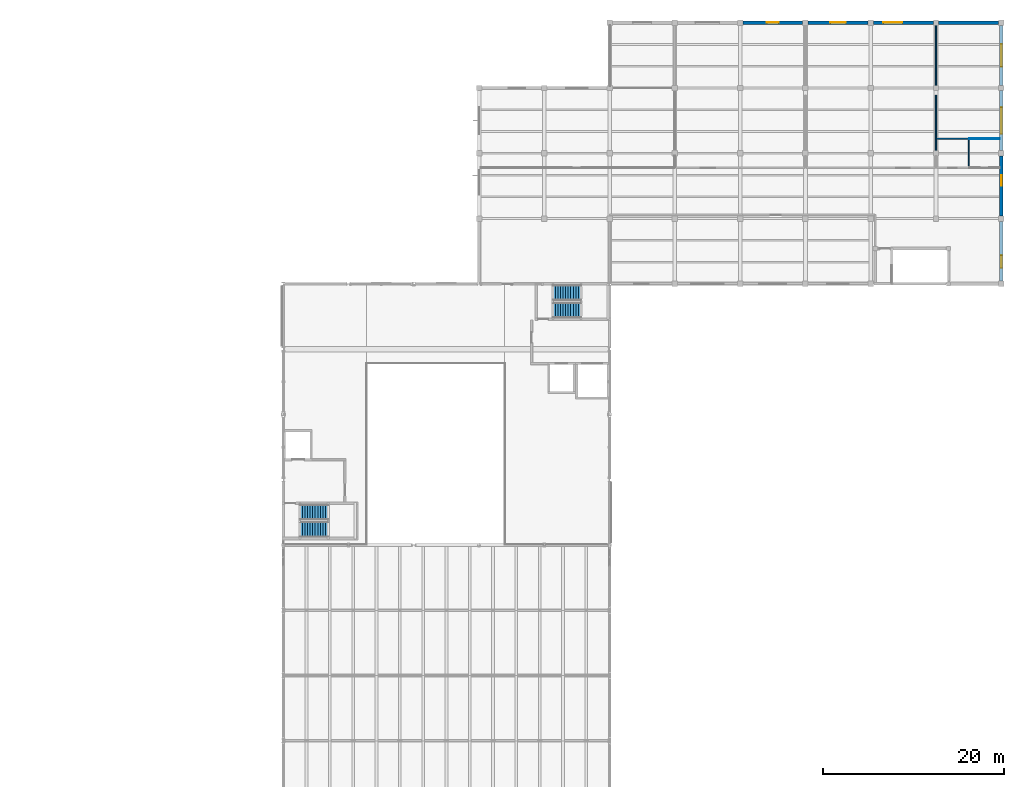
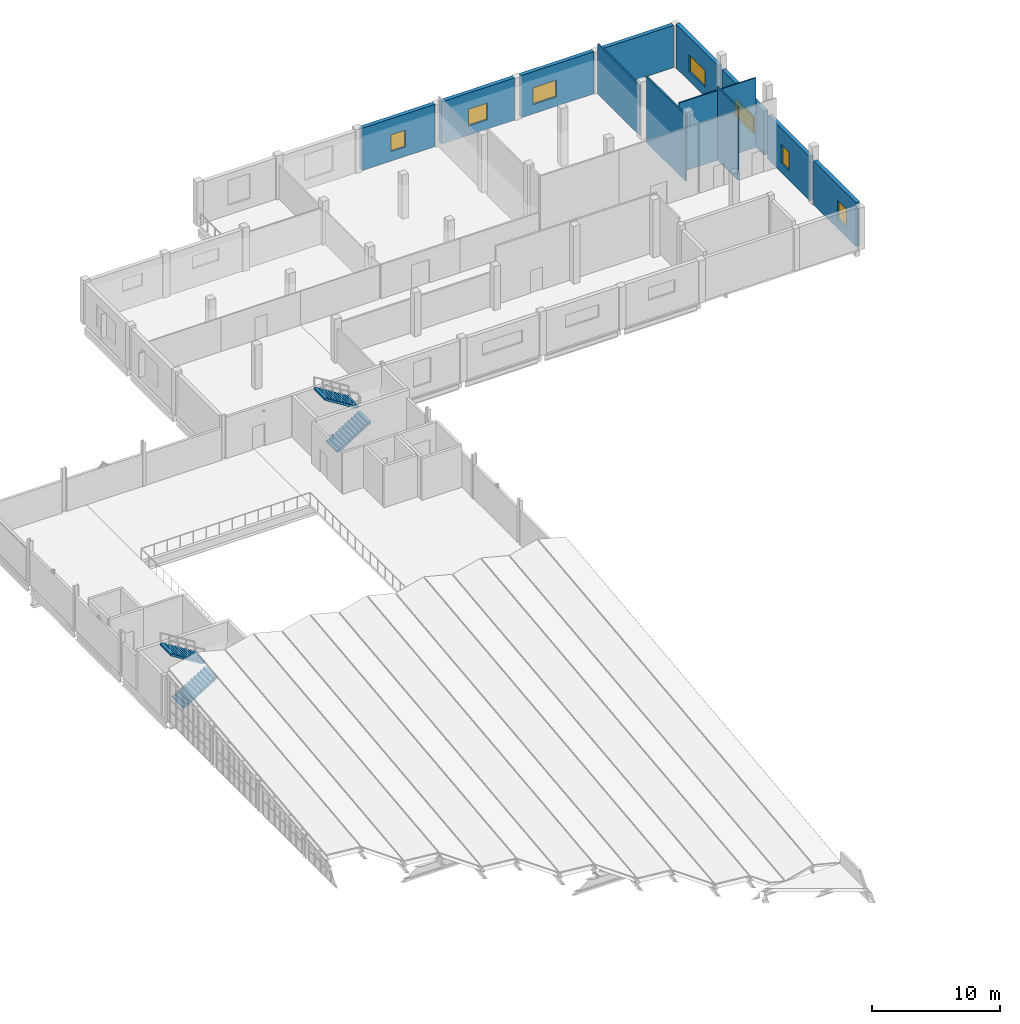
# One storey, part 43 of 48: 13 walls, 7 windows, 4 stair flights, 7 openings, 2 elements without a shape of their own.
"""IFC4 building model written with IfcOpenShell, lengths in metres."""

from ifc_helpers import new_model, si_unit, direction, frame, frame_2d, origin, place, context, subcontext, project, spatial, polyline, rectangle, outline, extrude, material, layer, layer_set, type_object, element, fill, aggregate, save


model = new_model("IFC4")

# Units and contexts
model_context = context("Model", 3, precision=1e-05, world=origin(), true_north=direction((0.0, 1.0)))
body_context = subcontext(model_context, "Body", "Model", "MODEL_VIEW")
ifc_project = project(units=[si_unit("LENGTHUNIT", "METRE"), si_unit("AREAUNIT", "SQUARE_METRE"), si_unit("VOLUMEUNIT", "CUBIC_METRE"), si_unit("PLANEANGLEUNIT", "RADIAN"), si_unit("MASSUNIT", "GRAM", prefix="KILO"), si_unit("THERMODYNAMICTEMPERATUREUNIT", "KELVIN"), si_unit("POWERUNIT", "WATT")], contexts=[model_context])

# Site, building, storey
site_placement = place(None, origin())
site = spatial("IfcSite", under=ifc_project, at=site_placement, CompositionType="ELEMENT")
building_placement = place(site_placement, origin())
building = spatial("IfcBuilding", under=site, at=building_placement, Name="Kaldorven Railside Theatre", CompositionType="ELEMENT")
storey_placement = place(building_placement, frame((0.0, 0.0, 18.89990234375)))
storey = spatial("IfcBuildingStorey", under=building, at=storey_placement, Name="L04", CompositionType="ELEMENT", Elevation=18.89990234375)

# Wall, opening, window
ifc_material_1 = material(Name="Precast concrete C40/50", Category="concrete")
ifc_layer_1 = layer(ifc_material_1, 0.35009765625, Name="Precast concrete C40/50")
ifc_layer_set_1 = layer_set([ifc_layer_1], Name="Precast concrete C40/50")
wall_type_1 = type_object("IfcWallType", Name="WL-EW03", PredefinedType="SOLIDWALL", material=ifc_layer_set_1)
wall_1_placement = place(storey_placement, frame((137.89990234375, 141.60009765625, 0.0), z_axis=(0.0, 0.0, 1.0), x_axis=(1.0, 0.0, 0.0)))
wall_1 = element("IfcWall", 1, at=wall_1_placement, inside=storey, type_object=wall_type_1, Name="V6 L04 Exterior Wall EW-0454", PredefinedType="SOLIDWALL", context=body_context, shape_type="SweptSolid", body=[
    extrude(rectangle(XDim=6.60009765625, YDim=0.35009765625, at=frame_2d((3.300048828125, 0.0))), origin(), (0.0, 0.0, 1.0), 4.04638671875),
])
opening_1_placement = place(wall_1_placement, frame((2.64990234375, 0.0, 0.89990234375)))
opening_1 = element("IfcOpeningElement", 2, at=opening_1_placement, cuts=wall_1, Name="Opening WN-121", PredefinedType="OPENING", context=body_context, shape_type="SweptSolid", body=[
    extrude(rectangle(XDim=1.300048828125, YDim=1.60009765625, at=frame_2d((0.64990234375, 0.800048828125))), frame((0.0, 0.18505859375, 0.0), z_axis=(0.0, -1.0, 0.0), x_axis=(1.0, 0.0, 0.0)), (0.0, 0.0, 1.0), 0.3701171875),
])
ifc_material_2 = material(Name="Low-E laminated solar-control glass", Category="glass")
window_type_1 = type_object("IfcWindowType", Name="WN-EW21", PartitioningType="SINGLE_PANEL", PredefinedType="WINDOW", material=ifc_material_2)
window_1_placement = place(opening_1_placement, origin())
window_1 = element("IfcWindow", 3, at=window_1_placement, inside=storey, type_object=window_type_1, Name="Shaded Acoustic Exterior Window WN-121", OverallHeight=1.60009765625, OverallWidth=1.300048828125, PartitioningType="SINGLE_PANEL", PredefinedType="WINDOW", context=body_context, shape_type="SweptSolid", body=[
    extrude(rectangle(XDim=1.300048828125, YDim=1.60009765625, at=frame_2d((0.64990234375, 0.800048828125))), frame((0.0, 0.030029296875, 0.0), z_axis=(0.0, -1.0, 0.0), x_axis=(1.0, 0.0, 0.0)), (0.0, 0.0, 1.0), 0.06005859375),
])
fill(opening_1, window_1)

wall_2_placement = place(storey_placement, frame((145.10009765625, 141.60009765625, 0.0), z_axis=(0.0, 0.0, 1.0), x_axis=(1.0, 0.0, 0.0)))
wall_2 = element("IfcWall", 4, at=wall_2_placement, inside=storey, type_object=wall_type_1, Name="V6 L04 Exterior Wall EW-0455", PredefinedType="SOLIDWALL", context=body_context, shape_type="SweptSolid", body=[
    extrude(rectangle(XDim=6.599853515625, YDim=0.35009765625, at=frame_2d((3.2998046875, 0.0))), origin(), (0.0, 0.0, 1.0), 4.04638671875),
])
opening_2_placement = place(wall_2_placement, frame((2.449951171875, 0.0, 0.89990234375)))
opening_2 = element("IfcOpeningElement", 5, at=opening_2_placement, cuts=wall_2, Name="Opening WN-122", PredefinedType="OPENING", context=body_context, shape_type="SweptSolid", body=[
    extrude(rectangle(XDim=1.699951171875, YDim=1.60009765625, at=frame_2d((0.85009765625, 0.800048828125))), frame((0.0, 0.18505859375, 0.0), z_axis=(0.0, -1.0, 0.0), x_axis=(1.0, 0.0, 0.0)), (0.0, 0.0, 1.0), 0.3701171875),
])
window_type_2 = type_object("IfcWindowType", Name="WN-EW22", PartitioningType="SINGLE_PANEL", PredefinedType="WINDOW", material=ifc_material_2)
window_2_placement = place(opening_2_placement, origin())
window_2 = element("IfcWindow", 6, at=window_2_placement, inside=storey, type_object=window_type_2, Name="Shaded Acoustic Exterior Window WN-122", OverallHeight=1.60009765625, OverallWidth=1.699951171875, PartitioningType="SINGLE_PANEL", PredefinedType="WINDOW", context=body_context, shape_type="SweptSolid", body=[
    extrude(rectangle(XDim=1.699951171875, YDim=1.60009765625, at=frame_2d((0.85009765625, 0.800048828125))), frame((0.0, 0.030029296875, 0.0), z_axis=(0.0, -1.0, 0.0), x_axis=(1.0, 0.0, 0.0)), (0.0, 0.0, 1.0), 0.06005859375),
])
fill(opening_2, window_2)

wall_3_placement = place(storey_placement, frame((152.300048828125, 141.60009765625, 0.0), z_axis=(0.0, 0.0, 1.0), x_axis=(1.0, 0.0, 0.0)))
wall_3 = element("IfcWall", 7, at=wall_3_placement, inside=storey, type_object=wall_type_1, Name="V6 L04 Exterior Wall EW-0456", PredefinedType="SOLIDWALL", context=body_context, shape_type="SweptSolid", body=[
    extrude(rectangle(XDim=6.599853515625, YDim=0.35009765625, at=frame_2d((3.2998046875, 0.0))), origin(), (0.0, 0.0, 1.0), 4.04638671875),
])
opening_3_placement = place(wall_3_placement, frame((1.10009765625, 0.0, 0.89990234375)))
opening_3 = element("IfcOpeningElement", 8, at=opening_3_placement, cuts=wall_3, Name="Opening WN-123", PredefinedType="OPENING", context=body_context, shape_type="SweptSolid", body=[
    extrude(rectangle(XDim=2.10009765625, YDim=1.60009765625, at=frame_2d((1.050048828125, 0.800048828125))), frame((0.0, 0.18505859375, 0.0), z_axis=(0.0, -1.0, 0.0), x_axis=(1.0, 0.0, 0.0)), (0.0, 0.0, 1.0), 0.3701171875),
])
window_type_3 = type_object("IfcWindowType", Name="WN-EW23", PartitioningType="SINGLE_PANEL", PredefinedType="WINDOW", material=ifc_material_2)
window_3_placement = place(opening_3_placement, origin())
window_3 = element("IfcWindow", 9, at=window_3_placement, inside=storey, type_object=window_type_3, Name="Shaded Acoustic Exterior Window WN-123", OverallHeight=1.60009765625, OverallWidth=2.10009765625, PartitioningType="SINGLE_PANEL", PredefinedType="WINDOW", context=body_context, shape_type="SweptSolid", body=[
    extrude(rectangle(XDim=2.10009765625, YDim=1.60009765625, at=frame_2d((1.050048828125, 0.800048828125))), frame((0.0, 0.030029296875, 0.0), z_axis=(0.0, -1.0, 0.0), x_axis=(1.0, 0.0, 0.0)), (0.0, 0.0, 1.0), 0.06005859375),
])
fill(opening_3, window_3)

# Wall
wall_4_placement = place(storey_placement, frame((159.5, 141.60009765625, 0.0), z_axis=(0.0, 0.0, 1.0), x_axis=(1.0, 0.0, 0.0)))
element("IfcWall", 10, at=wall_4_placement, inside=storey, type_object=wall_type_1, Name="V6 L04 Exterior Wall EW-0457", PredefinedType="SOLIDWALL", context=body_context, shape_type="SweptSolid", body=[
    extrude(rectangle(XDim=6.60009765625, YDim=0.35009765625, at=frame_2d((3.300048828125, 0.0))), origin(), (0.0, 0.0, 1.0), 4.04638671875),
])

# Wall, opening, window
wall_5_placement = place(storey_placement, frame((166.39990234375, 141.300048828125, 0.0), z_axis=(0.0, 0.0, 1.0), x_axis=(0.0, -1.0, 0.0)))
wall_5 = element("IfcWall", 11, at=wall_5_placement, inside=storey, type_object=wall_type_1, Name="V6 L04 Exterior Wall EW-0458", PredefinedType="SOLIDWALL", context=body_context, shape_type="SweptSolid", body=[
    extrude(rectangle(XDim=6.60009765625, YDim=0.35009765625, at=frame_2d((3.300048828125, 0.0))), origin(), (0.0, 0.0, 1.0), 4.2001953125),
])
opening_4_placement = place(wall_5_placement, frame((2.050048828125, 0.0, 0.89990234375)))
opening_4 = element("IfcOpeningElement", 12, at=opening_4_placement, cuts=wall_5, Name="Opening WN-124", PredefinedType="OPENING", context=body_context, shape_type="SweptSolid", body=[
    extrude(rectangle(XDim=2.5, YDim=1.60009765625, at=frame_2d((1.25, 0.800048828125))), frame((0.0, 0.18505859375, 0.0), z_axis=(0.0, -1.0, 0.0), x_axis=(1.0, 0.0, 0.0)), (0.0, 0.0, 1.0), 0.3701171875),
])
window_type_4 = type_object("IfcWindowType", Name="WN-EW24", PartitioningType="SINGLE_PANEL", PredefinedType="WINDOW", material=ifc_material_2)
window_4_placement = place(opening_4_placement, origin())
window_4 = element("IfcWindow", 13, at=window_4_placement, inside=storey, type_object=window_type_4, Name="Shaded Acoustic Exterior Window WN-124", OverallHeight=1.60009765625, OverallWidth=2.5, PartitioningType="SINGLE_PANEL", PredefinedType="WINDOW", context=body_context, shape_type="SweptSolid", body=[
    extrude(rectangle(XDim=2.5, YDim=1.60009765625, at=frame_2d((1.25, 0.800048828125))), frame((0.0, 0.030029296875, 0.0), z_axis=(0.0, -1.0, 0.0), x_axis=(1.0, 0.0, 0.0)), (0.0, 0.0, 1.0), 0.06005859375),
])
fill(opening_4, window_4)

wall_6_placement = place(storey_placement, frame((166.39990234375, 134.10009765625, 0.0), z_axis=(0.0, 0.0, 1.0), x_axis=(0.0, -1.0, 0.0)))
wall_6 = element("IfcWall", 14, at=wall_6_placement, inside=storey, type_object=wall_type_1, Name="V6 L04 Exterior Wall EW-0459", PredefinedType="SOLIDWALL", context=body_context, shape_type="SweptSolid", body=[
    extrude(rectangle(XDim=6.60009765625, YDim=0.35009765625, at=frame_2d((3.300048828125, 0.0))), origin(), (0.0, 0.0, 1.0), 4.2001953125),
])
opening_5_placement = place(wall_6_placement, frame((1.85009765625, 0.0, 0.89990234375)))
opening_5 = element("IfcOpeningElement", 15, at=opening_5_placement, cuts=wall_6, Name="Opening WN-125", PredefinedType="OPENING", context=body_context, shape_type="SweptSolid", body=[
    extrude(rectangle(XDim=2.89990234375, YDim=1.60009765625, at=frame_2d((1.449951171875, 0.800048828125))), frame((0.0, 0.18505859375, 0.0), z_axis=(0.0, -1.0, 0.0), x_axis=(1.0, 0.0, 0.0)), (0.0, 0.0, 1.0), 0.3701171875),
])
window_type_5 = type_object("IfcWindowType", Name="WN-EW25", PartitioningType="SINGLE_PANEL", PredefinedType="WINDOW", material=ifc_material_2)
window_5_placement = place(opening_5_placement, origin())
window_5 = element("IfcWindow", 16, at=window_5_placement, inside=storey, type_object=window_type_5, Name="Shaded Acoustic Exterior Window WN-125", OverallHeight=1.60009765625, OverallWidth=2.89990234375, PartitioningType="SINGLE_PANEL", PredefinedType="WINDOW", context=body_context, shape_type="SweptSolid", body=[
    extrude(rectangle(XDim=2.89990234375, YDim=1.60009765625, at=frame_2d((1.449951171875, 0.800048828125))), frame((0.0, 0.030029296875, 0.0), z_axis=(0.0, -1.0, 0.0), x_axis=(1.0, 0.0, 0.0)), (0.0, 0.0, 1.0), 0.06005859375),
])
fill(opening_5, window_5)

wall_7_placement = place(storey_placement, frame((166.39990234375, 126.89990234375, 0.0), z_axis=(0.0, 0.0, 1.0), x_axis=(0.0, -1.0, 0.0)))
wall_7 = element("IfcWall", 17, at=wall_7_placement, inside=storey, type_object=wall_type_1, Name="V6 L04 Exterior Wall EW-0460", PredefinedType="SOLIDWALL", context=body_context, shape_type="SweptSolid", body=[
    extrude(rectangle(XDim=6.599853515625, YDim=0.35009765625, at=frame_2d((3.2998046875, 0.0))), origin(), (0.0, 0.0, 1.0), 4.2001953125),
])
opening_6_placement = place(wall_7_placement, frame((2.10009765625, 0.0, 0.89990234375)))
opening_6 = element("IfcOpeningElement", 18, at=opening_6_placement, cuts=wall_7, Name="Opening WN-126", PredefinedType="OPENING", context=body_context, shape_type="SweptSolid", body=[
    extrude(rectangle(XDim=1.199951171875, YDim=1.800048828125, at=frame_2d((0.60009765625, 0.89990234375))), frame((0.0, 0.18505859375, 0.0), z_axis=(0.0, -1.0, 0.0), x_axis=(1.0, 0.0, 0.0)), (0.0, 0.0, 1.0), 0.3701171875),
])
window_type_6 = type_object("IfcWindowType", Name="WN-EW01", PartitioningType="SINGLE_PANEL", PredefinedType="WINDOW", material=ifc_material_2)
window_6_placement = place(opening_6_placement, origin())
window_6 = element("IfcWindow", 19, at=window_6_placement, inside=storey, type_object=window_type_6, Name="Shaded Acoustic Exterior Window WN-126", OverallHeight=1.800048828125, OverallWidth=1.199951171875, PartitioningType="SINGLE_PANEL", PredefinedType="WINDOW", context=body_context, shape_type="SweptSolid", body=[
    extrude(rectangle(XDim=1.199951171875, YDim=1.800048828125, at=frame_2d((0.60009765625, 0.89990234375))), frame((0.0, 0.030029296875, 0.0), z_axis=(0.0, -1.0, 0.0), x_axis=(1.0, 0.0, 0.0)), (0.0, 0.0, 1.0), 0.06005859375),
])
fill(opening_6, window_6)

wall_8_placement = place(storey_placement, frame((166.39990234375, 119.699951171875, 0.0), z_axis=(0.0, 0.0, 1.0), x_axis=(0.0, -1.0, 0.0)))
wall_8 = element("IfcWall", 20, at=wall_8_placement, inside=storey, type_object=wall_type_1, Name="V6 L04 Exterior Wall EW-0461", PredefinedType="SOLIDWALL", context=body_context, shape_type="SweptSolid", body=[
    extrude(rectangle(XDim=6.599853515625, YDim=0.35009765625, at=frame_2d((3.2998046875, 0.0))), origin(), (0.0, 0.0, 1.0), 4.2001953125),
])
opening_7_placement = place(wall_8_placement, frame((3.75, 0.0, 0.89990234375)))
opening_7 = element("IfcOpeningElement", 21, at=opening_7_placement, cuts=wall_8, Name="Opening WN-127", PredefinedType="OPENING", context=body_context, shape_type="SweptSolid", body=[
    extrude(rectangle(XDim=1.39990234375, YDim=1.800048828125, at=frame_2d((0.699951171875, 0.89990234375))), frame((0.0, 0.18505859375, 0.0), z_axis=(0.0, -1.0, 0.0), x_axis=(1.0, 0.0, 0.0)), (0.0, 0.0, 1.0), 0.3701171875),
])
window_type_7 = type_object("IfcWindowType", Name="WN-EW02", PartitioningType="SINGLE_PANEL", PredefinedType="WINDOW", material=ifc_material_2)
window_7_placement = place(opening_7_placement, origin())
window_7 = element("IfcWindow", 22, at=window_7_placement, inside=storey, type_object=window_type_7, Name="Shaded Acoustic Exterior Window WN-127", OverallHeight=1.800048828125, OverallWidth=1.39990234375, PartitioningType="SINGLE_PANEL", PredefinedType="WINDOW", context=body_context, shape_type="SweptSolid", body=[
    extrude(rectangle(XDim=1.39990234375, YDim=1.800048828125, at=frame_2d((0.699951171875, 0.89990234375))), frame((0.0, 0.030029296875, 0.0), z_axis=(0.0, -1.0, 0.0), x_axis=(1.0, 0.0, 0.0)), (0.0, 0.0, 1.0), 0.06005859375),
])
fill(opening_7, window_7)

# Walls
ifc_material_3 = material(Name="Acoustic gypsum board")
ifc_layer_2 = layer(ifc_material_3, 0.139892578125, Name="Acoustic gypsum board")
ifc_layer_set_2 = layer_set([ifc_layer_2], Name="Acoustic gypsum board")
wall_type_2 = type_object("IfcWallType", Name="WL-IW-AC2", PredefinedType="PARTITIONING", material=ifc_layer_set_2)
wall_9_placement = place(storey_placement, frame((159.199951171875, 127.5, 0.0), z_axis=(0.0, 0.0, 1.0), x_axis=(0.0, 1.0, 0.0)))
element("IfcWall", 23, at=wall_9_placement, inside=storey, type_object=wall_type_2, Name="L04 Interior Wall IW-0676", PredefinedType="PARTITIONING", context=body_context, shape_type="SweptSolid", body=[
    extrude(rectangle(XDim=6.10009765625, YDim=0.139892578125, at=frame_2d((3.050048828125, 0.0))), origin(), (0.0, 0.0, 1.0), 6.310302734375),
])
wall_10_placement = place(storey_placement, frame((159.199951171875, 134.699951171875, 0.0), z_axis=(0.0, 0.0, 1.0), x_axis=(0.0, 1.0, 0.0)))
element("IfcWall", 24, at=wall_10_placement, inside=storey, type_object=wall_type_2, Name="L04 Interior Wall IW-0678", PredefinedType="PARTITIONING", context=body_context, shape_type="SweptSolid", body=[
    extrude(rectangle(XDim=6.60009765625, YDim=0.139892578125, at=frame_2d((3.300048828125, 0.0))), origin(), (0.0, 0.0, 1.0), 4.783935546875),
])
ifc_material_4 = material(Name="Fire-rated acoustic gypsum board")
ifc_layer_3 = layer(ifc_material_4, 0.1201171875, Name="Fire-rated acoustic gypsum board")
ifc_layer_set_3 = layer_set([ifc_layer_3], Name="Fire-rated acoustic gypsum board")
wall_type_3 = type_object("IfcWallType", Name="WL-IW-PT1", PredefinedType="PARTITIONING", material=ifc_layer_set_3)
wall_11_placement = place(storey_placement, frame((162.800048828125, 125.60009765625, 0.0), z_axis=(0.0, 0.0, 1.0), x_axis=(0.0, 1.0, 0.0)))
element("IfcWall", 25, at=wall_11_placement, inside=storey, type_object=wall_type_3, Name="L04 Interior Wall IW-0681", PredefinedType="PARTITIONING", context=body_context, shape_type="SweptSolid", body=[
    extrude(rectangle(XDim=3.199951171875, YDim=0.1201171875, at=frame_2d((1.60009765625, 0.0))), origin(), (0.0, 0.0, 1.0), 6.99658203125),
])
wall_12_placement = place(storey_placement, frame((162.738037109375, 128.800048828125, 0.0), z_axis=(0.0, 0.0, 1.0), x_axis=(-1.0, 0.0, 0.0)))
element("IfcWall", 26, at=wall_12_placement, inside=storey, type_object=wall_type_3, Name="L04 Interior Wall IW-0682", PredefinedType="PARTITIONING", context=body_context, shape_type="SweptSolid", body=[
    extrude(rectangle(XDim=3.466064453125, YDim=0.1201171875, at=frame_2d((1.73291015625, 0.0))), origin(), (0.0, 0.0, 1.0), 6.668701171875),
])
ifc_layer_4 = layer(ifc_material_4, 0.10009765625, Name="Fire-rated acoustic gypsum board")
ifc_layer_set_4 = layer_set([ifc_layer_4], Name="Fire-rated acoustic gypsum board")
wall_type_4 = type_object("IfcWallType", Name="WL-IW-PT2", PredefinedType="PARTITIONING", material=ifc_layer_set_4)
wall_13_placement = place(storey_placement, frame((166.222900390625, 128.800048828125, 0.0), z_axis=(0.0, 0.0, 1.0), x_axis=(-1.0, 0.0, 0.0)))
element("IfcWall", 27, at=wall_13_placement, inside=storey, type_object=wall_type_4, Name="L04 Interior Wall IW-0684", PredefinedType="PARTITIONING", context=body_context, shape_type="SweptSolid", body=[
    extrude(rectangle(XDim=3.36083984375, YDim=0.10009765625, at=frame_2d((1.680419921875, 0.0))), origin(), (0.0, 0.0, 1.0), 6.668701171875),
])

# Stair, stair flights
ifc_material_5 = material(Name="Concrete C35/45", Category="concrete")
stair_type = type_object("IfcStairType", Name="STR-DL-04", PredefinedType="HALF_TURN_STAIR", material=ifc_material_5)
stair_1_placement = place(storey_placement, origin())
stair_1 = element("IfcStair", 28, at=stair_1_placement, inside=storey, type_object=stair_type, Name="L04 Core C-STW Escape Stair ST-05", PredefinedType="HALF_TURN_STAIR")
stair_flight_type = type_object("IfcStairFlightType", Name="STF-DL-04", PredefinedType="STRAIGHT", material=ifc_material_5)
stair_flight_1_placement = place(storey_placement, frame((89.050048828125, 85.699951171875, 0.0), z_axis=(0.0, 0.0, 1.0), x_axis=(1.0, 0.0, 0.0)))
stair_flight_1 = element("IfcStairFlight", 29, at=stair_flight_1_placement, type_object=stair_flight_type, Name="ST-05 flight 1", NumberOfRisers=12, NumberOfTreads=11, PredefinedType="STRAIGHT", RiserHeight=0.175, TreadLength=0.28, context=body_context, shape_type="SweptSolid", body=[
    extrude(outline(polyline([(0.0, 0.0), (0.0, 0.175048828125), (0.280029296875, 0.175048828125), (0.280029296875, 0.35009765625), (0.56005859375, 0.35009765625), (0.56005859375, 0.52490234375), (0.840087890625, 0.52490234375), (0.840087890625, 0.699951171875), (1.1201171875, 0.699951171875), (1.1201171875, 0.875), (1.39990234375, 0.875), (1.39990234375, 1.050048828125), (1.679931640625, 1.050048828125), (1.679931640625, 1.22509765625), (1.9599609375, 1.22509765625), (1.9599609375, 1.39990234375), (2.239990234375, 1.39990234375), (2.239990234375, 1.574951171875), (2.52001953125, 1.574951171875), (2.52001953125, 1.75), (2.800048828125, 1.75), (2.800048828125, 1.925048828125), (3.080078125, 1.925048828125), (3.080078125, 2.10009765625), (3.080078125, 1.748291015625), (0.28271484375, 0.0), (0.0, 0.0)])), frame((0.0, 0.85009765625, 0.0), z_axis=(0.0, -1.0, 0.0), x_axis=(1.0, 0.0, 0.0)), (0.0, 0.0, 1.0), 1.699951171875),
])
stair_flight_2_placement = place(storey_placement, frame((92.1298828125, 87.60009765625, 2.10009765625), z_axis=(0.0, 0.0, 1.0), x_axis=(-1.0, 0.0, 0.0)))
stair_flight_2 = element("IfcStairFlight", 30, at=stair_flight_2_placement, type_object=stair_flight_type, Name="ST-05 flight 2", NumberOfRisers=12, NumberOfTreads=11, PredefinedType="STRAIGHT", RiserHeight=0.175, TreadLength=0.28, context=body_context, shape_type="SweptSolid", body=[
    extrude(outline(polyline([(0.0, 0.0), (0.0, 0.175048828125), (0.280029296875, 0.175048828125), (0.280029296875, 0.35009765625), (0.56005859375, 0.35009765625), (0.56005859375, 0.52490234375), (0.840087890625, 0.52490234375), (0.840087890625, 0.699951171875), (1.1201171875, 0.699951171875), (1.1201171875, 0.875), (1.39990234375, 0.875), (1.39990234375, 1.050048828125), (1.679931640625, 1.050048828125), (1.679931640625, 1.22509765625), (1.9599609375, 1.22509765625), (1.9599609375, 1.39990234375), (2.239990234375, 1.39990234375), (2.239990234375, 1.574951171875), (2.52001953125, 1.574951171875), (2.52001953125, 1.75), (2.800048828125, 1.75), (2.800048828125, 1.925048828125), (3.080078125, 1.925048828125), (3.080078125, 2.10009765625), (3.080078125, 1.748291015625), (0.28271484375, 0.0), (0.0, 0.0)])), frame((0.0, 0.85009765625, 0.0), z_axis=(0.0, -1.0, 0.0), x_axis=(1.0, 0.0, 0.0)), (0.0, 0.0, 1.0), 1.699951171875),
])
aggregate(stair_1, [stair_flight_1, stair_flight_2])

stair_2_placement = place(storey_placement, origin())
stair_2 = element("IfcStair", 31, at=stair_2_placement, inside=storey, type_object=stair_type, Name="L04 Core C-STE Escape Stair ST-06", PredefinedType="HALF_TURN_STAIR")
stair_flight_3_placement = place(storey_placement, frame((116.949951171875, 109.89990234375, 0.0), z_axis=(0.0, 0.0, 1.0), x_axis=(1.0, 0.0, 0.0)))
stair_flight_3 = element("IfcStairFlight", 32, at=stair_flight_3_placement, type_object=stair_flight_type, Name="ST-06 flight 1", NumberOfRisers=12, NumberOfTreads=11, PredefinedType="STRAIGHT", RiserHeight=0.175, TreadLength=0.28, context=body_context, shape_type="SweptSolid", body=[
    extrude(outline(polyline([(0.0, 0.0), (0.0, 0.175048828125), (0.280029296875, 0.175048828125), (0.280029296875, 0.35009765625), (0.56005859375, 0.35009765625), (0.56005859375, 0.52490234375), (0.840087890625, 0.52490234375), (0.840087890625, 0.699951171875), (1.1201171875, 0.699951171875), (1.1201171875, 0.875), (1.39990234375, 0.875), (1.39990234375, 1.050048828125), (1.679931640625, 1.050048828125), (1.679931640625, 1.22509765625), (1.9599609375, 1.22509765625), (1.9599609375, 1.39990234375), (2.239990234375, 1.39990234375), (2.239990234375, 1.574951171875), (2.52001953125, 1.574951171875), (2.52001953125, 1.75), (2.800048828125, 1.75), (2.800048828125, 1.925048828125), (3.080078125, 1.925048828125), (3.080078125, 2.10009765625), (3.080078125, 1.748291015625), (0.28271484375, 0.0), (0.0, 0.0)])), frame((0.0, 0.85009765625, 0.0), z_axis=(0.0, -1.0, 0.0), x_axis=(1.0, 0.0, 0.0)), (0.0, 0.0, 1.0), 1.699951171875),
])
stair_flight_4_placement = place(storey_placement, frame((120.030029296875, 111.800048828125, 2.10009765625), z_axis=(0.0, 0.0, 1.0), x_axis=(-1.0, 0.0, 0.0)))
stair_flight_4 = element("IfcStairFlight", 33, at=stair_flight_4_placement, type_object=stair_flight_type, Name="ST-06 flight 2", NumberOfRisers=12, NumberOfTreads=11, PredefinedType="STRAIGHT", RiserHeight=0.175, TreadLength=0.28, context=body_context, shape_type="SweptSolid", body=[
    extrude(outline(polyline([(0.0, 0.0), (0.0, 0.175048828125), (0.280029296875, 0.175048828125), (0.280029296875, 0.35009765625), (0.56005859375, 0.35009765625), (0.56005859375, 0.52490234375), (0.840087890625, 0.52490234375), (0.840087890625, 0.699951171875), (1.1201171875, 0.699951171875), (1.1201171875, 0.875), (1.39990234375, 0.875), (1.39990234375, 1.050048828125), (1.679931640625, 1.050048828125), (1.679931640625, 1.22509765625), (1.9599609375, 1.22509765625), (1.9599609375, 1.39990234375), (2.239990234375, 1.39990234375), (2.239990234375, 1.574951171875), (2.52001953125, 1.574951171875), (2.52001953125, 1.75), (2.800048828125, 1.75), (2.800048828125, 1.925048828125), (3.080078125, 1.925048828125), (3.080078125, 2.10009765625), (3.080078125, 1.748291015625), (0.28271484375, 0.0), (0.0, 0.0)])), frame((0.0, 0.85009765625, 0.0), z_axis=(0.0, -1.0, 0.0), x_axis=(1.0, 0.0, 0.0)), (0.0, 0.0, 1.0), 1.699951171875),
])
aggregate(stair_2, [stair_flight_3, stair_flight_4])

save(model, "model.ifc")
